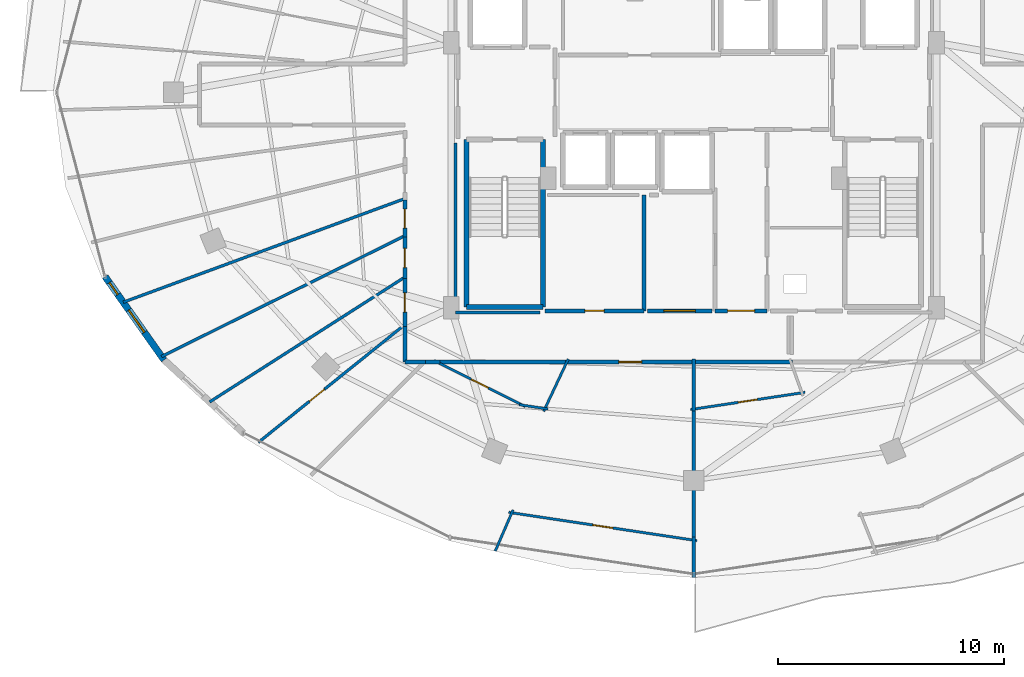
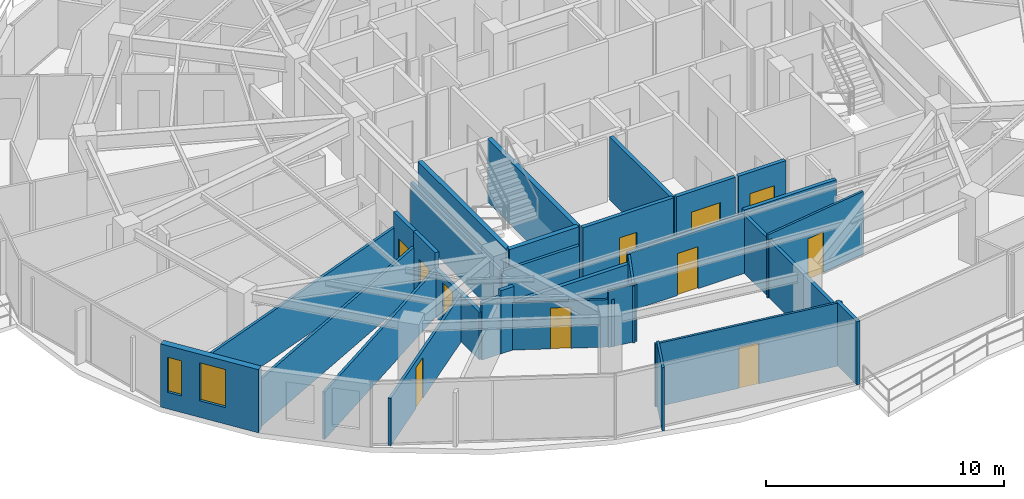
# One storey, part 24 of 33: 32 walls, 11 doors, 2 windows, 13 openings.
"""IFC4 building model written with IfcOpenShell, lengths in metres."""

from ifc_helpers import new_model, si_unit, direction, frame, frame_2d, origin, place, context, subcontext, project, spatial, rectangle, extrude, material, layer, layer_set, type_object, element, fill, save


model = new_model("IFC4")

# Units and contexts
model_context = context("Model", 3, precision=1e-05, world=origin(), true_north=direction((0.0, 1.0)))
body_context = subcontext(model_context, "Body", "Model", "MODEL_VIEW")
ifc_project = project(units=[si_unit("LENGTHUNIT", "METRE"), si_unit("AREAUNIT", "SQUARE_METRE"), si_unit("VOLUMEUNIT", "CUBIC_METRE"), si_unit("PLANEANGLEUNIT", "RADIAN"), si_unit("MASSUNIT", "GRAM", prefix="KILO")], contexts=[model_context])

# Site, building, storey
site_placement = place(None, origin())
site = spatial("IfcSite", under=ifc_project, at=site_placement, CompositionType="ELEMENT")
building_placement = place(site_placement, origin())
building = spatial("IfcBuilding", under=site, at=building_placement, Name="Vorneva Point Tower", CompositionType="ELEMENT")
storey_placement = place(building_placement, frame((0.0, 0.0, 196.60009765625)))
storey = spatial("IfcBuildingStorey", under=building, at=storey_placement, Name="L53", CompositionType="ELEMENT", Elevation=196.60009765625)

# Wall, openings, windows
ifc_material_1 = material(Name="Precast concrete B50 (C40/50)", Category="concrete")
ifc_layer_1 = layer(ifc_material_1, 0.300048828125)
ifc_layer_set_1 = layer_set([ifc_layer_1], Name="Precast concrete B50 (C40/50)")
wall_type_1 = type_object("IfcWallType", Name="WL-EXT-300", PredefinedType="STANDARD", material=ifc_layer_set_1)
wall_1_placement = place(storey_placement, frame((11.9189453125, 17.82958984375, 0.0), z_axis=(0.0, 0.0, 1.0), x_axis=(0.577168747264, -0.81662490605, 0.0)))
wall_1 = element("IfcWall", 1, at=wall_1_placement, inside=storey, type_object=wall_type_1, Name="L53 Pale-Metal Facade Spandrel Wall 10.1", PredefinedType="STANDARD", context=body_context, shape_type="SweptSolid", body=[
    extrude(rectangle(XDim=4.519775390625, YDim=0.300048828125, at=frame_2d((2.259765625, 0.0))), origin(), (0.0, 0.0, 1.0), 3.239990234375),
])
opening_1_placement = place(wall_1_placement, frame((0.319580078125, 0.0, 0.85009765625)))
opening_1 = element("IfcOpeningElement", 2, at=opening_1_placement, cuts=wall_1, Name="Opening W-09", PredefinedType="OPENING", context=body_context, shape_type="SweptSolid", body=[
    extrude(rectangle(XDim=0.64990234375, YDim=1.800048828125, at=frame_2d((0.324951171875, 0.89990234375))), frame((0.0, 0.1650390625, 0.0), z_axis=(0.0, -1.0, 0.0), x_axis=(1.0, 0.0, 0.0)), (0.0, 0.0, 1.0), 0.329833984375),
])
opening_2_placement = place(wall_1_placement, frame((1.80908203125, 0.0, 0.85009765625)))
opening_2 = element("IfcOpeningElement", 3, at=opening_2_placement, cuts=wall_1, Name="Opening W-04", PredefinedType="OPENING", context=body_context, shape_type="SweptSolid", body=[
    extrude(rectangle(XDim=1.199951171875, YDim=1.949951171875, at=frame_2d((0.60009765625, 0.97509765625))), frame((0.0, 0.1650390625, 0.0), z_axis=(0.0, -1.0, 0.0), x_axis=(1.0, 0.0, 0.0)), (0.0, 0.0, 1.0), 0.329833984375),
])
ifc_material_2 = material(Name="Double low-e laminated glass IGU", Category="glass")
window_type_1 = type_object("IfcWindowType", Name="WN-CAS-650", PartitioningType="SINGLE_PANEL", PredefinedType="WINDOW", material=ifc_material_2)
window_1_placement = place(opening_1_placement, origin())
window_1 = element("IfcWindow", 4, at=window_1_placement, inside=storey, type_object=window_type_1, Name="L53 Dwelling Vision Window 01", OverallHeight=1.800048828125, OverallWidth=0.64990234375, PartitioningType="SINGLE_PANEL", PredefinedType="WINDOW", context=body_context, shape_type="SweptSolid", body=[
    extrude(rectangle(XDim=0.64990234375, YDim=1.800048828125, at=frame_2d((0.324951171875, 0.89990234375))), frame((0.0, 0.030029296875, 0.0), z_axis=(0.0, -1.0, 0.0), x_axis=(1.0, 0.0, 0.0)), (0.0, 0.0, 1.0), 0.06005859375),
])
fill(opening_1, window_1)
window_type_2 = type_object("IfcWindowType", Name="WN-RES-1200", PartitioningType="SINGLE_PANEL", PredefinedType="WINDOW", material=ifc_material_2)
window_2_placement = place(opening_2_placement, origin())
window_2 = element("IfcWindow", 5, at=window_2_placement, inside=storey, type_object=window_type_2, Name="L53 Dwelling Vision Window 02", OverallHeight=1.949951171875, OverallWidth=1.199951171875, PartitioningType="SINGLE_PANEL", PredefinedType="WINDOW", context=body_context, shape_type="SweptSolid", body=[
    extrude(rectangle(XDim=1.199951171875, YDim=1.949951171875, at=frame_2d((0.60009765625, 0.97509765625))), frame((0.0, 0.030029296875, 0.0), z_axis=(0.0, -1.0, 0.0), x_axis=(1.0, 0.0, 0.0)), (0.0, 0.0, 1.0), 0.06005859375),
])
fill(opening_2, window_2)

# Walls
ifc_material_3 = material(Name="Fire-rated acoustic gypsum stud partition", Category="gypsum")
ifc_layer_2 = layer(ifc_material_3, 0.110107421875)
ifc_layer_set_2 = layer_set([ifc_layer_2], Name="Fire-rated acoustic gypsum stud partition")
wall_type_2 = type_object("IfcWallType", Name="WL-PART-110", PredefinedType="PARTITIONING", material=ifc_layer_set_2)
wall_2_placement = place(storey_placement, frame((32.4365234375, 14.1767578125, 0.0), z_axis=(0.0, 0.0, 1.0), x_axis=(-0.425948638984, -0.904747344261, 0.0)))
element("IfcWall", 6, at=wall_2_placement, inside=storey, type_object=wall_type_2, Name="L53 Interior Partition 112", PredefinedType="PARTITIONING", context=body_context, shape_type="SweptSolid", body=[
    extrude(rectangle(XDim=2.55908203125, YDim=0.110107421875, at=frame_2d((1.279541015625, 0.0))), origin(), (0.0, 0.0, 1.0), 2.921875),
])
wall_3_placement = place(storey_placement, frame((31.54443359375, 11.96728515625, 0.0), z_axis=(0.0, 0.0, 1.0), x_axis=(-0.988916897536, 0.148470097217, 0.0)))
element("IfcWall", 7, at=wall_3_placement, inside=storey, type_object=wall_type_2, Name="L53 Interior Partition 113", PredefinedType="PARTITIONING", context=body_context, shape_type="SweptSolid", body=[
    extrude(rectangle(XDim=1.289306640625, YDim=0.110107421875, at=frame_2d((0.64453125, 0.0))), origin(), (0.0, 0.0, 1.0), 2.921875),
])

# Wall, opening, door
wall_4_placement = place(storey_placement, frame((30.532958984375, 12.074951171875, 0.0), z_axis=(0.0, 0.0, 1.0), x_axis=(-0.892550333972, 0.450947781153, 0.0)))
wall_4 = element("IfcWall", 8, at=wall_4_placement, inside=storey, type_object=wall_type_2, Name="L53 Interior Partition 114", PredefinedType="PARTITIONING", context=body_context, shape_type="SweptSolid", body=[
    extrude(rectangle(XDim=4.51953125, YDim=0.110107421875, at=frame_2d((2.259765625, 0.0))), origin(), (0.0, 0.0, 1.0), 2.431884765625),
])
opening_3_placement = place(wall_4_placement, frame((1.834716796875, 0.0, 0.0)))
opening_3 = element("IfcOpeningElement", 9, at=opening_3_placement, cuts=wall_4, Name="Opening ID-02", PredefinedType="OPENING", context=body_context, shape_type="SweptSolid", body=[
    extrude(rectangle(XDim=0.85009765625, YDim=2.10009765625, at=frame_2d((0.425048828125, 1.050048828125))), frame((0.0, 0.06982421875, 0.0), z_axis=(0.0, -1.0, 0.0), x_axis=(1.0, 0.0, 0.0)), (0.0, 0.0, 1.0), 0.139892578125),
])
ifc_material_4 = material(Name="Engineered oak fire-rated door leaf", Category="wood")
door_type_1 = type_object("IfcDoorType", Name="DR-BATH-850", OperationType="NOTDEFINED", PredefinedType="DOOR", material=ifc_material_4)
door_1_placement = place(opening_3_placement, origin())
door_1 = element("IfcDoor", 10, at=door_1_placement, inside=storey, type_object=door_type_1, Name="L53 Door Studio Apartment L53-03 / Bathroom L53-03", OperationType="SINGLE_SWING_RIGHT", OverallHeight=2.10009765625, OverallWidth=0.85009765625, PredefinedType="DOOR", context=body_context, shape_type="SweptSolid", body=[
    extrude(rectangle(XDim=0.85009765625, YDim=2.10009765625, at=frame_2d((0.425048828125, 1.050048828125))), frame((0.0, 0.02490234375, 0.0), z_axis=(0.0, -1.0, 0.0), x_axis=(1.0, 0.0, 0.0)), (0.0, 0.0, 1.0), 0.050048828125),
])
fill(opening_3, door_1)

wall_5_placement = place(storey_placement, frame((29.799560546875, 7.389892578125, 0.0), z_axis=(0.0, 0.0, 1.0), x_axis=(0.988869998297, -0.148782144316, 0.0)))
wall_5 = element("IfcWall", 11, at=wall_5_placement, inside=storey, type_object=wall_type_2, Name="L53 Interior Partition 115", PredefinedType="PARTITIONING", context=body_context, shape_type="SweptSolid", body=[
    extrude(rectangle(XDim=8.4326171875, YDim=0.110107421875, at=frame_2d((4.21630859375, 0.0))), origin(), (0.0, 0.0, 1.0), 3.239990234375),
])
opening_4_placement = place(wall_5_placement, frame((3.766357421875, 0.0, 0.0)))
opening_4 = element("IfcOpeningElement", 12, at=opening_4_placement, cuts=wall_5, Name="Opening ID-01", PredefinedType="OPENING", context=body_context, shape_type="SweptSolid", body=[
    extrude(rectangle(XDim=0.89990234375, YDim=2.10009765625, at=frame_2d((0.449951171875, 1.050048828125))), frame((0.0, 0.06982421875, 0.0), z_axis=(0.0, -1.0, 0.0), x_axis=(1.0, 0.0, 0.0)), (0.0, 0.0, 1.0), 0.139892578125),
])
door_type_2 = type_object("IfcDoorType", Name="DR-ROOM-900", OperationType="NOTDEFINED", PredefinedType="DOOR", material=ifc_material_4)
door_2_placement = place(opening_4_placement, origin())
door_2 = element("IfcDoor", 13, at=door_2_placement, inside=storey, type_object=door_type_2, Name="L53 Door Studio Apartment L53-03 / Kitchen L53-03", OperationType="SINGLE_SWING_LEFT", OverallHeight=2.10009765625, OverallWidth=0.89990234375, PredefinedType="DOOR", context=body_context, shape_type="SweptSolid", body=[
    extrude(rectangle(XDim=0.89990234375, YDim=2.10009765625, at=frame_2d((0.449951171875, 1.050048828125))), frame((0.0, 0.02490234375, 0.0), z_axis=(0.0, -1.0, 0.0), x_axis=(1.0, 0.0, 0.0)), (0.0, 0.0, 1.0), 0.050048828125),
])
fill(opening_4, door_2)

# Wall
wall_6_placement = place(storey_placement, frame((29.204345703125, 5.674560546875, 0.0), z_axis=(0.0, 0.0, 1.0), x_axis=(0.397328054141, 0.917676640976, 0.0)))
element("IfcWall", 14, at=wall_6_placement, inside=storey, type_object=wall_type_2, Name="L53 Interior Partition 116", PredefinedType="PARTITIONING", context=body_context, shape_type="SweptSolid", body=[
    extrude(rectangle(XDim=1.986572265625, YDim=0.110107421875, at=frame_2d((0.9931640625, 0.0))), origin(), (0.0, 0.0, 1.0), 3.239990234375),
])

# Wall, opening, door
wall_7_placement = place(storey_placement, frame((42.932373046875, 12.705810546875, 0.0), z_axis=(0.0, 0.0, 1.0), x_axis=(-0.988876905643, -0.148736227888, 0.0)))
wall_7 = element("IfcWall", 15, at=wall_7_placement, inside=storey, type_object=wall_type_2, Name="L53 Interior Partition 121", PredefinedType="PARTITIONING", context=body_context, shape_type="SweptSolid", body=[
    extrude(rectangle(XDim=5.1279296875, YDim=0.110107421875, at=frame_2d((2.56396484375, 0.0))), origin(), (0.0, 0.0, 1.0), 3.239990234375),
])
opening_5_placement = place(wall_7_placement, frame((2.138916015625, 0.0, 0.0)))
opening_5 = element("IfcOpeningElement", 16, at=opening_5_placement, cuts=wall_7, Name="Opening ID-02", PredefinedType="OPENING", context=body_context, shape_type="SweptSolid", body=[
    extrude(rectangle(XDim=0.85009765625, YDim=2.10009765625, at=frame_2d((0.425048828125, 1.050048828125))), frame((0.0, 0.06982421875, 0.0), z_axis=(0.0, -1.0, 0.0), x_axis=(1.0, 0.0, 0.0)), (0.0, 0.0, 1.0), 0.139892578125),
])
door_3_placement = place(opening_5_placement, origin())
door_3 = element("IfcDoor", 17, at=door_3_placement, inside=storey, type_object=door_type_1, Name="L53 Door Studio Apartment L53-04 / Bathroom L53-04", OperationType="SINGLE_SWING_RIGHT", OverallHeight=2.10009765625, OverallWidth=0.85009765625, PredefinedType="DOOR", context=body_context, shape_type="SweptSolid", body=[
    extrude(rectangle(XDim=0.85009765625, YDim=2.10009765625, at=frame_2d((0.425048828125, 1.050048828125))), frame((0.0, 0.02490234375, 0.0), z_axis=(0.0, -1.0, 0.0), x_axis=(1.0, 0.0, 0.0)), (0.0, 0.0, 1.0), 0.050048828125),
])
fill(opening_5, door_3)

# Walls
ifc_layer_3 = layer(ifc_material_3, 0.125)
ifc_layer_set_3 = layer_set([ifc_layer_3], Name="Fire-rated acoustic gypsum stud partition")
wall_type_3 = type_object("IfcWallType", Name="WL-PART-125", PredefinedType="PARTITIONING", material=ifc_layer_set_3)
wall_8_placement = place(storey_placement, frame((12.720947265625, 16.698974609375, 0.0), z_axis=(0.0, 0.0, 1.0), x_axis=(0.938476898763, 0.34534201958, 0.0)))
element("IfcWall", 18, at=wall_8_placement, inside=storey, type_object=wall_type_3, Name="L53 Interior Partition 107", PredefinedType="PARTITIONING", context=body_context, shape_type="SweptSolid", body=[
    extrude(rectangle(XDim=13.297119140625, YDim=0.125, at=frame_2d((6.6484375, 0.0))), origin(), (0.0, 0.0, 1.0), 2.431884765625),
])
wall_9_placement = place(storey_placement, frame((14.41796875, 14.2939453125, 0.0), z_axis=(0.0, 0.0, 1.0), x_axis=(0.895717443483, 0.444623730182, 0.0)))
element("IfcWall", 19, at=wall_9_placement, inside=storey, type_object=wall_type_3, Name="L53 Interior Partition 108", PredefinedType="PARTITIONING", context=body_context, shape_type="SweptSolid", body=[
    extrude(rectangle(XDim=12.037353515625, YDim=0.125, at=frame_2d((6.0185546875, 0.0))), origin(), (0.0, 0.0, 1.0), 2.431884765625),
])
wall_10_placement = place(storey_placement, frame((16.547119140625, 12.280029296875, 0.0), z_axis=(0.0, 0.0, 1.0), x_axis=(0.842442736758, 0.53878589002, 0.0)))
element("IfcWall", 20, at=wall_10_placement, inside=storey, type_object=wall_type_3, Name="L53 Interior Partition 109", PredefinedType="PARTITIONING", context=body_context, shape_type="SweptSolid", body=[
    extrude(rectangle(XDim=10.271240234375, YDim=0.125, at=frame_2d((5.1357421875, 0.0))), origin(), (0.0, 0.0, 1.0), 2.431884765625),
])

# Wall, opening, door
wall_11_placement = place(storey_placement, frame((18.7099609375, 10.489990234375, 0.0), z_axis=(0.0, 0.0, 1.0), x_axis=(0.779284718529, 0.626670030771, 0.0)))
wall_11 = element("IfcWall", 21, at=wall_11_placement, inside=storey, type_object=wall_type_3, Name="L53 Interior Partition 110", PredefinedType="PARTITIONING", context=body_context, shape_type="SweptSolid", body=[
    extrude(rectangle(XDim=8.328125, YDim=0.125, at=frame_2d((4.1640625, 0.0))), origin(), (0.0, 0.0, 1.0), 2.431884765625),
])
opening_6_placement = place(wall_11_placement, frame((2.899169921875, 0.0, 0.0)))
opening_6 = element("IfcOpeningElement", 22, at=opening_6_placement, cuts=wall_11, Name="Opening ID-02", PredefinedType="OPENING", context=body_context, shape_type="SweptSolid", body=[
    extrude(rectangle(XDim=0.85009765625, YDim=2.10009765625, at=frame_2d((0.425048828125, 1.050048828125))), frame((0.0, 0.077392578125, 0.0), z_axis=(0.0, -1.0, 0.0), x_axis=(1.0, 0.0, 0.0)), (0.0, 0.0, 1.0), 0.15478515625),
])
door_4_placement = place(opening_6_placement, origin())
door_4 = element("IfcDoor", 23, at=door_4_placement, inside=storey, type_object=door_type_1, Name="L53 Access Door Bedroom L53-02.8", OperationType="SINGLE_SWING_LEFT", OverallHeight=2.10009765625, OverallWidth=0.85009765625, PredefinedType="DOOR", context=body_context, shape_type="SweptSolid", body=[
    extrude(rectangle(XDim=0.85009765625, YDim=2.10009765625, at=frame_2d((0.425048828125, 1.050048828125))), frame((0.0, 0.02490234375, 0.0), z_axis=(0.0, -1.0, 0.0), x_axis=(1.0, 0.0, 0.0)), (0.0, 0.0, 1.0), 0.050048828125),
])
fill(opening_6, door_4)

# Walls
ifc_layer_4 = layer(ifc_material_3, 0.139892578125)
ifc_layer_set_4 = layer_set([ifc_layer_4], Name="Fire-rated acoustic gypsum stud partition")
wall_type_4 = type_object("IfcWallType", Name="WL-PART-140", PredefinedType="PARTITIONING", material=ifc_layer_set_4)
wall_12_placement = place(storey_placement, frame((27.449951171875, 23.75390625, 0.0), z_axis=(0.0, 0.0, 1.0), x_axis=(0.0, -1.0, 0.0)))
element("IfcWall", 24, at=wall_12_placement, inside=storey, type_object=wall_type_4, Name="L53 Interior Closure Partition 144", PredefinedType="PARTITIONING", context=body_context, shape_type="SweptSolid", body=[
    extrude(rectangle(XDim=7.513916015625, YDim=0.139892578125, at=frame_2d((3.7568359375, 0.0))), origin(), (0.0, 0.0, 1.0), 2.431884765625),
])
wall_13_placement = place(storey_placement, frame((27.449951171875, 16.239990234375, 0.0), z_axis=(0.0, 0.0, 1.0), x_axis=(1.0, 0.0, 0.0)))
element("IfcWall", 25, at=wall_13_placement, inside=storey, type_object=wall_type_4, Name="L53 Interior Closure Partition 145", PredefinedType="PARTITIONING", context=body_context, shape_type="SweptSolid", body=[
    extrude(rectangle(XDim=3.7451171875, YDim=0.139892578125, at=frame_2d((1.87255859375, 0.0))), origin(), (0.0, 0.0, 1.0), 2.431884765625),
])
ifc_layer_5 = layer(ifc_material_3, 0.159912109375)
ifc_layer_set_5 = layer_set([ifc_layer_5], Name="Fire-rated acoustic gypsum stud partition")
wall_type_5 = type_object("IfcWallType", Name="WL-PART-160", PredefinedType="PARTITIONING", material=ifc_layer_set_5)
wall_14_placement = place(storey_placement, frame((38.0, 6.156005859375, 0.0), z_axis=(0.0, 0.0, 1.0), x_axis=(0.0, 1.0, 0.0)))
element("IfcWall", 26, at=wall_14_placement, inside=storey, type_object=wall_type_5, Name="L53 Interior Partition 117", PredefinedType="PARTITIONING", context=body_context, shape_type="SweptSolid", body=[
    extrude(rectangle(XDim=5.868896484375, YDim=0.159912109375, at=frame_2d((2.9345703125, 0.0))), origin(), (0.0, 0.0, 1.0), 2.921875),
])
wall_15_placement = place(storey_placement, frame((38.0, 11.885009765625, 0.0), z_axis=(0.0, 0.0, 1.0), x_axis=(0.0, 1.0, 0.0)))
element("IfcWall", 27, at=wall_15_placement, inside=storey, type_object=wall_type_5, Name="L53 Interior Partition 118", PredefinedType="PARTITIONING", context=body_context, shape_type="SweptSolid", body=[
    extrude(rectangle(XDim=2.304931640625, YDim=0.159912109375, at=frame_2d((1.15234375, 0.0))), origin(), (0.0, 0.0, 1.0), 2.971923828125),
])
wall_16_placement = place(storey_placement, frame((38.0, 4.510009765625, 0.0), z_axis=(0.0, 0.0, 1.0), x_axis=(0.0, 1.0, 0.0)))
element("IfcWall", 28, at=wall_16_placement, inside=storey, type_object=wall_type_5, Name="L53 Interior Partition 119", PredefinedType="PARTITIONING", context=body_context, shape_type="SweptSolid", body=[
    extrude(rectangle(XDim=1.785888671875, YDim=0.159912109375, at=frame_2d((0.89306640625, 0.0))), origin(), (0.0, 0.0, 1.0), 3.239990234375),
])

# Wall, opening, door
ifc_material_5 = material(Name="Autoclaved aerated concrete blockwork", Category="masonry")
ifc_layer_6 = layer(ifc_material_5, 0.179931640625)
ifc_layer_set_6 = layer_set([ifc_layer_6], Name="Autoclaved aerated concrete blockwork")
wall_type_6 = type_object("IfcWallType", Name="WL-PART-180", PredefinedType="PARTITIONING", material=ifc_layer_set_6)
wall_17_placement = place(storey_placement, frame((38.949951171875, 16.320068359375, 0.0), z_axis=(0.0, 0.0, 1.0), x_axis=(1.0, 0.0, 0.0)))
wall_17 = element("IfcWall", 29, at=wall_17_placement, inside=storey, type_object=wall_type_6, Name="L53 Interior Partition 016", PredefinedType="PARTITIONING", context=body_context, shape_type="SweptSolid", body=[
    extrude(rectangle(XDim=2.300048828125, YDim=0.179931640625, at=frame_2d((1.14990234375, 0.0))), origin(), (0.0, 0.0, 1.0), 3.239990234375),
])
opening_7_placement = place(wall_17_placement, frame((0.550048828125, 0.0, 0.0)))
opening_7 = element("IfcOpeningElement", 30, at=opening_7_placement, cuts=wall_17, Name="Opening FD-02", PredefinedType="OPENING", context=body_context, shape_type="SweptSolid", body=[
    extrude(rectangle(XDim=1.199951171875, YDim=2.14990234375, at=frame_2d((0.60009765625, 1.074951171875))), frame((0.0, 0.10498046875, 0.0), z_axis=(0.0, -1.0, 0.0), x_axis=(1.0, 0.0, 0.0)), (0.0, 0.0, 1.0), 0.209716796875),
])
ifc_material_6 = material(Name="Fire-rated powder-coated steel", Category="steel")
door_type_3 = type_object("IfcDoorType", Name="DR-FFL-1200", OperationType="NOTDEFINED", PredefinedType="DOOR", material=ifc_material_6)
door_5_placement = place(opening_7_placement, origin())
door_5 = element("IfcDoor", 31, at=door_5_placement, inside=storey, type_object=door_type_3, Name="L53 Door Core Service Lobby / L53 Circulation Corridor", OperationType="SINGLE_SWING_LEFT", OverallHeight=2.14990234375, OverallWidth=1.199951171875, PredefinedType="DOOR", context=body_context, shape_type="SweptSolid", body=[
    extrude(rectangle(XDim=1.199951171875, YDim=2.14990234375, at=frame_2d((0.60009765625, 1.074951171875))), frame((0.0, 0.02490234375, 0.0), z_axis=(0.0, -1.0, 0.0), x_axis=(1.0, 0.0, 0.0)), (0.0, 0.0, 1.0), 0.050048828125),
])
fill(opening_7, door_5)

# Wall
wall_18_placement = place(storey_placement, frame((35.800048828125, 16.320068359375, 0.0), z_axis=(0.0, 0.0, 1.0), x_axis=(0.0, 1.0, 0.0)))
element("IfcWall", 32, at=wall_18_placement, inside=storey, type_object=wall_type_6, Name="L53 Interior Partition 027", PredefinedType="PARTITIONING", context=body_context, shape_type="SweptSolid", body=[
    extrude(rectangle(XDim=5.1298828125, YDim=0.179931640625, at=frame_2d((2.56494140625, 0.0))), origin(), (0.0, 0.0, 1.0), 3.239990234375),
])

# Wall, opening, door
wall_19_placement = place(storey_placement, frame((31.39990234375, 16.320068359375, 0.0), z_axis=(0.0, 0.0, 1.0), x_axis=(1.0, 0.0, 0.0)))
wall_19 = element("IfcWall", 33, at=wall_19_placement, inside=storey, type_object=wall_type_6, Name="L53 Interior Partition 028", PredefinedType="PARTITIONING", context=body_context, shape_type="SweptSolid", body=[
    extrude(rectangle(XDim=4.400146484375, YDim=0.179931640625, at=frame_2d((2.2001953125, 0.0))), origin(), (0.0, 0.0, 1.0), 3.239990234375),
])
opening_8_placement = place(wall_19_placement, frame((1.77490234375, 0.0, 0.0)))
opening_8 = element("IfcOpeningElement", 34, at=opening_8_placement, cuts=wall_19, Name="Opening ID-02", PredefinedType="OPENING", context=body_context, shape_type="SweptSolid", body=[
    extrude(rectangle(XDim=0.85009765625, YDim=2.10009765625, at=frame_2d((0.425048828125, 1.050048828125))), frame((0.0, 0.10498046875, 0.0), z_axis=(0.0, -1.0, 0.0), x_axis=(1.0, 0.0, 0.0)), (0.0, 0.0, 1.0), 0.209716796875),
])
door_6_placement = place(opening_8_placement, origin())
door_6 = element("IfcDoor", 35, at=door_6_placement, inside=storey, type_object=door_type_1, Name="L53 Door Bicycle Gear Store / L53 Circulation Corridor", OperationType="SINGLE_SWING_RIGHT", OverallHeight=2.10009765625, OverallWidth=0.85009765625, PredefinedType="DOOR", context=body_context, shape_type="SweptSolid", body=[
    extrude(rectangle(XDim=0.85009765625, YDim=2.10009765625, at=frame_2d((0.425048828125, 1.050048828125))), frame((0.0, 0.02490234375, 0.0), z_axis=(0.0, -1.0, 0.0), x_axis=(1.0, 0.0, 0.0)), (0.0, 0.0, 1.0), 0.050048828125),
])
fill(opening_8, door_6)

wall_20_placement = place(storey_placement, frame((35.949951171875, 16.320068359375, 0.0), z_axis=(0.0, 0.0, 1.0), x_axis=(1.0, 0.0, 0.0)))
wall_20 = element("IfcWall", 36, at=wall_20_placement, inside=storey, type_object=wall_type_6, Name="L53 Interior Partition 029", PredefinedType="PARTITIONING", context=body_context, shape_type="SweptSolid", body=[
    extrude(rectangle(XDim=2.85009765625, YDim=0.179931640625, at=frame_2d((1.425048828125, 0.0))), origin(), (0.0, 0.0, 1.0), 3.239990234375),
])
opening_9_placement = place(wall_20_placement, frame((0.72509765625, 0.0, 0.0)))
opening_9 = element("IfcOpeningElement", 37, at=opening_9_placement, cuts=wall_20, Name="Opening FD-03", PredefinedType="OPENING", context=body_context, shape_type="SweptSolid", body=[
    extrude(rectangle(XDim=1.39990234375, YDim=2.199951171875, at=frame_2d((0.699951171875, 1.10009765625))), frame((0.0, 0.10498046875, 0.0), z_axis=(0.0, -1.0, 0.0), x_axis=(1.0, 0.0, 0.0)), (0.0, 0.0, 1.0), 0.209716796875),
])
door_type_4 = type_object("IfcDoorType", Name="DR-PLT-1400", OperationType="DOUBLE_SWING_LEFT", PredefinedType="DOOR", material=ifc_material_6)
door_7_placement = place(opening_9_placement, origin())
door_7 = element("IfcDoor", 38, at=door_7_placement, inside=storey, type_object=door_type_4, Name="L53 Door Telecoms and Data Room / L53 Circulation Corridor", OperationType="DOUBLE_SWING_LEFT", OverallHeight=2.199951171875, OverallWidth=1.39990234375, PredefinedType="DOOR", context=body_context, shape_type="SweptSolid", body=[
    extrude(rectangle(XDim=1.39990234375, YDim=2.199951171875, at=frame_2d((0.699951171875, 1.10009765625))), frame((0.0, 0.02490234375, 0.0), z_axis=(0.0, -1.0, 0.0), x_axis=(1.0, 0.0, 0.0)), (0.0, 0.0, 1.0), 0.050048828125),
])
fill(opening_9, door_7)

wall_21_placement = place(storey_placement, frame((25.199951171875, 21.22705078125, 0.0), z_axis=(0.0, 0.0, 1.0), x_axis=(0.0, -1.0, 0.0)))
wall_21 = element("IfcWall", 39, at=wall_21_placement, inside=storey, type_object=wall_type_6, Name="L53 Interior Partition 050", PredefinedType="PARTITIONING", context=body_context, shape_type="SweptSolid", body=[
    extrude(rectangle(XDim=1.64794921875, YDim=0.179931640625, at=frame_2d((0.823974609375, 0.0))), origin(), (0.0, 0.0, 1.0), 3.239990234375),
])
opening_10_placement = place(wall_21_placement, frame((0.39892578125, 0.0, 0.0)))
opening_10 = element("IfcOpeningElement", 40, at=opening_10_placement, cuts=wall_21, Name="Opening ID-02", PredefinedType="OPENING", context=body_context, shape_type="SweptSolid", body=[
    extrude(rectangle(XDim=0.85009765625, YDim=2.10009765625, at=frame_2d((0.425048828125, 1.050048828125))), frame((0.0, 0.10498046875, 0.0), z_axis=(0.0, -1.0, 0.0), x_axis=(1.0, 0.0, 0.0)), (0.0, 0.0, 1.0), 0.209716796875),
])
door_8_placement = place(opening_10_placement, origin())
door_8 = element("IfcDoor", 41, at=door_8_placement, inside=storey, type_object=door_type_1, Name="L53 Access Door L53 Circulation Corridor", OperationType="SINGLE_SWING_LEFT", OverallHeight=2.10009765625, OverallWidth=0.85009765625, PredefinedType="DOOR", context=body_context, shape_type="SweptSolid", body=[
    extrude(rectangle(XDim=0.85009765625, YDim=2.10009765625, at=frame_2d((0.425048828125, 1.050048828125))), frame((0.0, 0.02490234375, 0.0), z_axis=(0.0, -1.0, 0.0), x_axis=(1.0, 0.0, 0.0)), (0.0, 0.0, 1.0), 0.050048828125),
])
fill(opening_10, door_8)

wall_22_placement = place(storey_placement, frame((25.199951171875, 19.5791015625, 0.0), z_axis=(0.0, 0.0, 1.0), x_axis=(0.0, -1.0, 0.0)))
wall_22 = element("IfcWall", 42, at=wall_22_placement, inside=storey, type_object=wall_type_6, Name="L53 Interior Partition 051", PredefinedType="PARTITIONING", context=body_context, shape_type="SweptSolid", body=[
    extrude(rectangle(XDim=1.836181640625, YDim=0.179931640625, at=frame_2d((0.91796875, 0.0))), origin(), (0.0, 0.0, 1.0), 3.239990234375),
])
opening_11_placement = place(wall_22_placement, frame((0.492919921875, 0.0, 0.0)))
opening_11 = element("IfcOpeningElement", 43, at=opening_11_placement, cuts=wall_22, Name="Opening ID-02", PredefinedType="OPENING", context=body_context, shape_type="SweptSolid", body=[
    extrude(rectangle(XDim=0.85009765625, YDim=2.10009765625, at=frame_2d((0.425048828125, 1.050048828125))), frame((0.0, 0.10498046875, 0.0), z_axis=(0.0, -1.0, 0.0), x_axis=(1.0, 0.0, 0.0)), (0.0, 0.0, 1.0), 0.209716796875),
])
door_9_placement = place(opening_11_placement, origin())
door_9 = element("IfcDoor", 44, at=door_9_placement, inside=storey, type_object=door_type_1, Name="L53 Access Door L53 Circulation Corridor", OperationType="SINGLE_SWING_RIGHT", OverallHeight=2.10009765625, OverallWidth=0.85009765625, PredefinedType="DOOR", context=body_context, shape_type="SweptSolid", body=[
    extrude(rectangle(XDim=0.85009765625, YDim=2.10009765625, at=frame_2d((0.425048828125, 1.050048828125))), frame((0.0, 0.02490234375, 0.0), z_axis=(0.0, -1.0, 0.0), x_axis=(1.0, 0.0, 0.0)), (0.0, 0.0, 1.0), 0.050048828125),
])
fill(opening_11, door_9)

wall_23_placement = place(storey_placement, frame((25.199951171875, 17.742919921875, 0.0), z_axis=(0.0, 0.0, 1.0), x_axis=(0.0, -1.0, 0.0)))
wall_23 = element("IfcWall", 45, at=wall_23_placement, inside=storey, type_object=wall_type_6, Name="L53 Interior Partition 052", PredefinedType="PARTITIONING", context=body_context, shape_type="SweptSolid", body=[
    extrude(rectangle(XDim=2.11083984375, YDim=0.179931640625, at=frame_2d((1.055419921875, 0.0))), origin(), (0.0, 0.0, 1.0), 2.431884765625),
])
opening_12_placement = place(wall_23_placement, frame((0.630615234375, 0.0, 0.0)))
opening_12 = element("IfcOpeningElement", 46, at=opening_12_placement, cuts=wall_23, Name="Opening ID-02", PredefinedType="OPENING", context=body_context, shape_type="SweptSolid", body=[
    extrude(rectangle(XDim=0.85009765625, YDim=2.10009765625, at=frame_2d((0.425048828125, 1.050048828125))), frame((0.0, 0.10498046875, 0.0), z_axis=(0.0, -1.0, 0.0), x_axis=(1.0, 0.0, 0.0)), (0.0, 0.0, 1.0), 0.209716796875),
])
door_10_placement = place(opening_12_placement, origin())
door_10 = element("IfcDoor", 47, at=door_10_placement, inside=storey, type_object=door_type_1, Name="L53 Access Door L53 Circulation Corridor", OperationType="SINGLE_SWING_LEFT", OverallHeight=2.10009765625, OverallWidth=0.85009765625, PredefinedType="DOOR", context=body_context, shape_type="SweptSolid", body=[
    extrude(rectangle(XDim=0.85009765625, YDim=2.10009765625, at=frame_2d((0.425048828125, 1.050048828125))), frame((0.0, 0.02490234375, 0.0), z_axis=(0.0, -1.0, 0.0), x_axis=(1.0, 0.0, 0.0)), (0.0, 0.0, 1.0), 0.050048828125),
])
fill(opening_12, door_10)

# Walls
wall_24_placement = place(storey_placement, frame((25.199951171875, 15.632080078125, 0.0), z_axis=(0.0, 0.0, 1.0), x_axis=(0.0, -1.0, 0.0)))
element("IfcWall", 48, at=wall_24_placement, inside=storey, type_object=wall_type_6, Name="L53 Interior Partition 053", PredefinedType="PARTITIONING", context=body_context, shape_type="SweptSolid", body=[
    extrude(rectangle(XDim=1.58203125, YDim=0.179931640625, at=frame_2d((0.791015625, 0.0))), origin(), (0.0, 0.0, 1.0), 2.431884765625),
])
wall_25_placement = place(storey_placement, frame((25.199951171875, 14.050048828125, 0.0), z_axis=(0.0, 0.0, 1.0), x_axis=(1.0, 0.0, 0.0)))
element("IfcWall", 49, at=wall_25_placement, inside=storey, type_object=wall_type_6, Name="L53 Interior Partition 054", PredefinedType="PARTITIONING", context=body_context, shape_type="SweptSolid", body=[
    extrude(rectangle(XDim=0.91015625, YDim=0.179931640625, at=frame_2d((0.455078125, 0.0))), origin(), (0.0, 0.0, 1.0), 2.921875),
])
wall_26_placement = place(storey_placement, frame((26.110107421875, 14.050048828125, 0.0), z_axis=(0.0, 0.0, 1.0), x_axis=(1.0, 0.0, 0.0)))
element("IfcWall", 50, at=wall_26_placement, inside=storey, type_object=wall_type_6, Name="L53 Interior Partition 055", PredefinedType="PARTITIONING", context=body_context, shape_type="SweptSolid", body=[
    extrude(rectangle(XDim=0.64697265625, YDim=0.179931640625, at=frame_2d((0.323486328125, 0.0))), origin(), (0.0, 0.0, 1.0), 3.239990234375),
])

# Wall, opening, door
wall_27_placement = place(storey_placement, frame((32.31103515625, 14.050048828125, 0.0), z_axis=(0.0, 0.0, 1.0), x_axis=(1.0, 0.0, 0.0)))
wall_27 = element("IfcWall", 51, at=wall_27_placement, inside=storey, type_object=wall_type_6, Name="L53 Interior Partition 056", PredefinedType="PARTITIONING", context=body_context, shape_type="SweptSolid", body=[
    extrude(rectangle(XDim=5.7490234375, YDim=0.179931640625, at=frame_2d((2.87451171875, 0.0))), origin(), (0.0, 0.0, 1.0), 2.971923828125),
])
opening_13_placement = place(wall_27_placement, frame((2.37451171875, 0.0, 0.0)))
opening_13 = element("IfcOpeningElement", 52, at=opening_13_placement, cuts=wall_27, Name="Opening UD-01", PredefinedType="OPENING", context=body_context, shape_type="SweptSolid", body=[
    extrude(rectangle(XDim=1.0, YDim=2.14990234375, at=frame_2d((0.5, 1.074951171875))), frame((0.0, 0.10498046875, 0.0), z_axis=(0.0, -1.0, 0.0), x_axis=(1.0, 0.0, 0.0)), (0.0, 0.0, 1.0), 0.209716796875),
])
door_type_5 = type_object("IfcDoorType", Name="DR-UNIT-1000", OperationType="NOTDEFINED", PredefinedType="DOOR", material=ifc_material_4)
door_11_placement = place(opening_13_placement, origin())
door_11 = element("IfcDoor", 53, at=door_11_placement, inside=storey, type_object=door_type_5, Name="L53 Door L53 Circulation Corridor / Studio Apartment L53-03", OperationType="SINGLE_SWING_RIGHT", OverallHeight=2.14990234375, OverallWidth=1.0, PredefinedType="DOOR", context=body_context, shape_type="SweptSolid", body=[
    extrude(rectangle(XDim=1.0, YDim=2.14990234375, at=frame_2d((0.5, 1.074951171875))), frame((0.0, 0.02490234375, 0.0), z_axis=(0.0, -1.0, 0.0), x_axis=(1.0, 0.0, 0.0)), (0.0, 0.0, 1.0), 0.050048828125),
])
fill(opening_13, door_11)

# Walls
wall_28_placement = place(storey_placement, frame((26.616943359375, 14.050048828125, 0.0), z_axis=(0.0, 0.0, 1.0), x_axis=(1.0, 0.0, 0.0)))
element("IfcWall", 54, at=wall_28_placement, inside=storey, type_object=wall_type_6, Name="L53 Interior Partition 057", PredefinedType="PARTITIONING", context=body_context, shape_type="SweptSolid", body=[
    extrude(rectangle(XDim=5.833984375, YDim=0.179931640625, at=frame_2d((2.9169921875, 0.0))), origin(), (0.0, 0.0, 1.0), 2.431884765625),
])
wall_29_placement = place(storey_placement, frame((37.919921875, 14.050048828125, 0.0), z_axis=(0.0, 0.0, 1.0), x_axis=(1.0, 0.0, 0.0)))
element("IfcWall", 55, at=wall_29_placement, inside=storey, type_object=wall_type_6, Name="L53 Interior Partition 059", PredefinedType="PARTITIONING", context=body_context, shape_type="SweptSolid", body=[
    extrude(rectangle(XDim=4.462158203125, YDim=0.179931640625, at=frame_2d((2.23095703125, 0.0))), origin(), (0.0, 0.0, 1.0), 3.239990234375),
])
ifc_material_7 = material(Name="Concrete B50 (C40/50)", Category="concrete")
ifc_layer_7 = layer(ifc_material_7, 0.219970703125)
ifc_layer_set_7 = layer_set([ifc_layer_7], Name="Concrete B50 (C40/50)")
wall_type_7 = type_object("IfcWallType", Name="WL-SHFT-220", PredefinedType="SOLIDWALL", material=ifc_layer_set_7)
wall_30_placement = place(storey_placement, frame((31.31005859375, 23.909912109375, 0.0), z_axis=(0.0, 0.0, 1.0), x_axis=(0.0, -1.0, 0.0)))
element("IfcWall", 56, at=wall_30_placement, inside=storey, type_object=wall_type_7, Name="L53 Exit Stair ST1 Shaft Wall right", PredefinedType="SOLIDWALL", context=body_context, shape_type="SweptSolid", body=[
    extrude(rectangle(XDim=7.419921875, YDim=0.219970703125, at=frame_2d((3.7099609375, 0.0))), origin(), (0.0, 0.0, 1.0), 3.239990234375),
])
wall_31_placement = place(storey_placement, frame((31.31005859375, 16.489990234375, 0.0), z_axis=(0.0, 0.0, 1.0), x_axis=(-1.0, 0.0, 0.0)))
element("IfcWall", 57, at=wall_31_placement, inside=storey, type_object=wall_type_7, Name="L53 Exit Stair ST1 Shaft Wall far", PredefinedType="SOLIDWALL", context=body_context, shape_type="SweptSolid", body=[
    extrude(rectangle(XDim=3.3701171875, YDim=0.219970703125, at=frame_2d((1.68505859375, 0.0))), origin(), (0.0, 0.0, 1.0), 3.239990234375),
])
wall_32_placement = place(storey_placement, frame((27.93994140625, 16.489990234375, 0.0), z_axis=(0.0, 0.0, 1.0), x_axis=(0.0, 1.0, 0.0)))
element("IfcWall", 58, at=wall_32_placement, inside=storey, type_object=wall_type_7, Name="L53 Exit Stair ST1 Shaft Wall left", PredefinedType="SOLIDWALL", context=body_context, shape_type="SweptSolid", body=[
    extrude(rectangle(XDim=7.419921875, YDim=0.219970703125, at=frame_2d((3.7099609375, 0.0))), origin(), (0.0, 0.0, 1.0), 3.239990234375),
])

save(model, "model.ifc")
